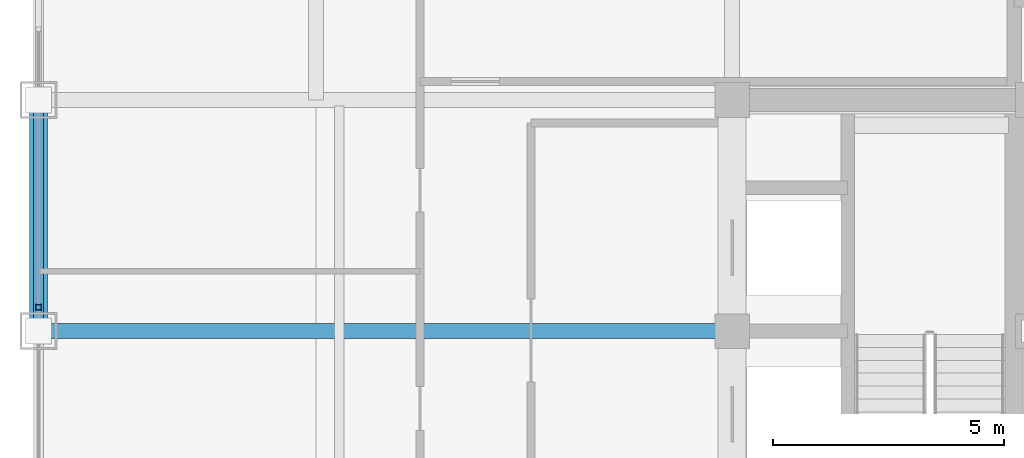
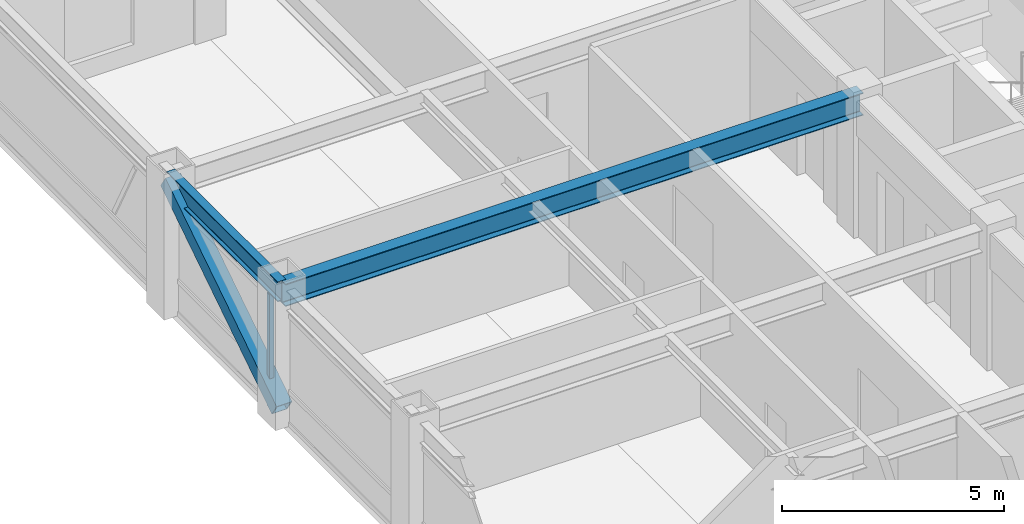
# One storey, part 15 of 29: 2 beams, 2 members, 1 element without a shape of its own.
"""IFC4 building model written with IfcOpenShell, lengths in metres."""

from ifc_helpers import new_model, si_unit, direction, frame, origin, origin_2d, place, context, subcontext, project, spatial, hollow_rectangle, i_section, extrude, source, transform, mapped, material, material_profile, profile_set, type_object, element, aggregate, save


model = new_model("IFC4")

# Units and contexts
model_context = context("Model", 3, precision=1e-05, world=origin(), true_north=direction((0.0, 1.0)))
body_context = subcontext(model_context, "Body", "Model", "MODEL_VIEW")
ifc_project = project(units=[si_unit("LENGTHUNIT", "METRE"), si_unit("AREAUNIT", "SQUARE_METRE"), si_unit("VOLUMEUNIT", "CUBIC_METRE"), si_unit("PLANEANGLEUNIT", "RADIAN"), si_unit("MASSUNIT", "GRAM", prefix="KILO")], contexts=[model_context])

# Site, building, storey
site_placement = place(None, origin())
site = spatial("IfcSite", under=ifc_project, at=site_placement, CompositionType="ELEMENT")
building_placement = place(site_placement, origin())
building = spatial("IfcBuilding", under=site, at=building_placement, Name="Khorayat Bourse Tower", CompositionType="ELEMENT")
storey_placement = place(building_placement, frame((0.0, 0.0, 346.300048828125)))
storey = spatial("IfcBuildingStorey", under=building, at=storey_placement, Name="L82", CompositionType="ELEMENT", Elevation=346.300048828125)

# Beams
ifc_material_1 = material(Name="Steel ASTM A992 Grade 50", Category="steel")
ifc_material_profile_1 = material_profile(ifc_material_1, i_section(OverallWidth=0.214111328125, OverallDepth=0.549072265625, WebThickness=0.0146484375, FlangeThickness=0.023681640625, FilletRadius=0.013916015625, at=origin_2d()), Name="W530X138")
ifc_profile_set_1 = profile_set([ifc_material_profile_1], Name="Steel ASTM A992 Grade 50")
beam_type_1 = type_object("IfcBeamType", Name="BM-SPAN-530", PredefinedType="SPANDREL", material=ifc_profile_set_1)
shared_shape_1 = source(origin(), body_context, "Body", "SweptSolid", [
    extrude(i_section(OverallWidth=0.214111328125, OverallDepth=0.549072265625, WebThickness=0.0146484375, FlangeThickness=0.023681640625, FilletRadius=0.013916015625, at=origin_2d()), origin(), (0.0, 0.0, 1.0), 5.0),
])
beam_1_placement = place(storey_placement, frame((-26.0, 6.0, 3.46533203125), z_axis=(0.0, 1.0, 0.0), x_axis=(-1.0, 0.0, 0.0)))
element("IfcBeam", 1, at=beam_1_placement, inside=storey, type_object=beam_type_1, Name="L82 BM-SPAN-530 BM-L82-SPN-046", PredefinedType="SPANDREL", context=body_context, shape_type="MappedRepresentation", body=[
    mapped(shared_shape_1, transform((0.0, 0.0, 0.0), scale=1.0)),
])
ifc_material_profile_2 = material_profile(ifc_material_1, i_section(OverallWidth=0.324951171875, OverallDepth=0.615966796875, WebThickness=0.013916015625, FlangeThickness=0.021484375, FilletRadius=0.01611328125, at=origin_2d()), Name="W610X174")
ifc_profile_set_2 = profile_set([ifc_material_profile_2], Name="Steel ASTM A992 Grade 50")
beam_type_2 = type_object("IfcBeamType", Name="BM-GIRD-610", PredefinedType="BEAM", material=ifc_profile_set_2)
shared_shape_2 = source(origin(), body_context, "Body", "SweptSolid", [
    extrude(i_section(OverallWidth=0.324951171875, OverallDepth=0.615966796875, WebThickness=0.013916015625, FlangeThickness=0.021484375, FilletRadius=0.01611328125, at=origin_2d()), origin(), (0.0, 0.0, 1.0), 15.0),
])
beam_2_placement = place(storey_placement, frame((-26.0, 6.0, 3.431884765625), z_axis=(1.0, 0.0, 0.0), x_axis=(0.0, 1.0, 0.0)))
element("IfcBeam", 2, at=beam_2_placement, inside=storey, type_object=beam_type_2, Name="L82 BM-GIRD-610 BM-L82-RADX-068", PredefinedType="BEAM", context=body_context, shape_type="MappedRepresentation", body=[
    mapped(shared_shape_2, transform((0.0, 0.0, 0.0), scale=1.0)),
])

# Member
ifc_material_2 = material(Name="Steel EN 10025-4 S460M", Category="steel")
ifc_material_profile_3 = material_profile(ifc_material_2, hollow_rectangle(XDim=0.39990234375, YDim=0.39990234375, WallThickness=0.02197265625, at=origin_2d()), Name="HSS 400x400x22")
ifc_profile_set_3 = profile_set([ifc_material_profile_3], Name="Steel EN 10025-4 S460M")
member_type_1 = type_object("IfcMemberType", Name="MBR-TUBE-400", PredefinedType="BRACE", material=ifc_profile_set_3)
shared_shape_3 = source(origin(), body_context, "Body", "SweptSolid", [
    extrude(hollow_rectangle(XDim=0.39990234375, YDim=0.39990234375, WallThickness=0.02197265625, at=origin_2d()), origin(), (0.0, 0.0, 1.0), 5.9580078125),
])
member_1_placement = place(storey_placement, frame((-26.0, 6.0, 0.25), z_axis=(0.0, 0.839210474455, 0.543806748364), x_axis=(-1.0, 0.0, 0.0)))
element("IfcMember", 3, at=member_1_placement, inside=storey, type_object=member_type_1, Name="L82 Perimeter Tube Brace 06", PredefinedType="BRACE", context=body_context, shape_type="MappedRepresentation", body=[
    mapped(shared_shape_3, transform((0.0, 0.0, 0.0), scale=1.0)),
])

# Curtain wall, member
ifc_material_3 = material(Name="Aluminium EN AW-6063 T6", Category="aluminium")
curtain_wall_type = type_object("IfcCurtainWallType", Name="CW-SYS-06", PredefinedType="NOTDEFINED", material=ifc_material_3)
curtain_wall_placement = place(storey_placement, origin())
curtain_wall = element("IfcCurtainWall", 4, at=curtain_wall_placement, inside=storey, type_object=curtain_wall_type, Name="L82 Curtain Wall CW-L82-W1", PredefinedType="NOTDEFINED")
ifc_material_profile_4 = material_profile(ifc_material_3, hollow_rectangle(XDim=0.1201171875, YDim=0.1201171875, WallThickness=0.0048828125, at=origin_2d()), Name="ALU 120x120x5")
ifc_profile_set_4 = profile_set([ifc_material_profile_4], Name="Aluminium EN AW-6063 T6")
member_type_2 = type_object("IfcMemberType", Name="CWM-VERT-120", PredefinedType="MULLION", material=ifc_profile_set_4)
shared_shape_4 = source(origin(), body_context, "Body", "SweptSolid", [
    extrude(hollow_rectangle(XDim=0.1201171875, YDim=0.1201171875, WallThickness=0.0048828125, at=origin_2d()), origin(), (0.0, 0.0, 1.0), 3.08984375),
])
member_2_placement = place(storey_placement, frame((-26.0, 6.5166015625, 0.0), z_axis=(0.0, 0.0, 1.0), x_axis=(1.0, 0.0, 0.0)))
member_2 = element("IfcMember", 5, at=member_2_placement, type_object=member_type_2, Name="CW-L82-W1 Vertical Mullion 2", PredefinedType="MULLION", context=body_context, shape_type="MappedRepresentation", body=[
    mapped(shared_shape_4, transform((0.0, 0.0, 0.0), scale=1.0)),
])
aggregate(curtain_wall, [member_2])

save(model, "model.ifc")
